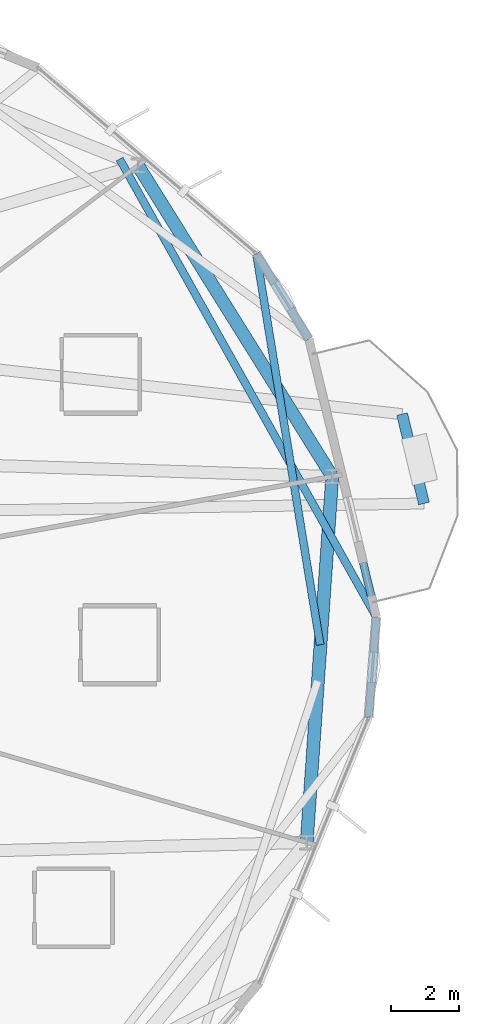
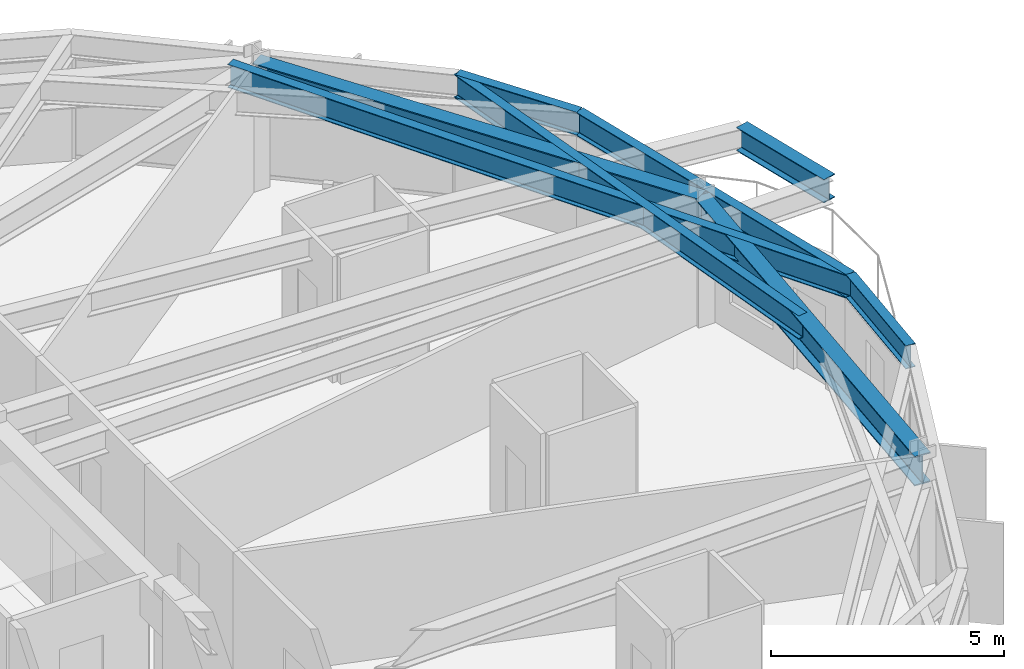
# One storey, part 9 of 21: 8 beams.
"""IFC4 building model written with IfcOpenShell, lengths in metres."""

from ifc_helpers import new_model, si_unit, direction, frame, origin, origin_2d, place, context, subcontext, project, spatial, i_section, extrude, material, material_profile, profile_set, type_object, element, save


model = new_model("IFC4")

# Units and contexts
model_context = context("Model", 3, precision=1e-05, world=origin(), true_north=direction((0.0, 1.0)))
body_context = subcontext(model_context, "Body", "Model", "MODEL_VIEW")
ifc_project = project(units=[si_unit("LENGTHUNIT", "METRE"), si_unit("AREAUNIT", "SQUARE_METRE"), si_unit("VOLUMEUNIT", "CUBIC_METRE"), si_unit("PLANEANGLEUNIT", "RADIAN"), si_unit("MASSUNIT", "GRAM", prefix="KILO")], contexts=[model_context])

# Site, building, storey
site_placement = place(None, origin())
site = spatial("IfcSite", under=ifc_project, at=site_placement, CompositionType="ELEMENT")
building_placement = place(site_placement, origin())
building = spatial("IfcBuilding", under=site, at=building_placement, Name="Soratama Intermodal Tower", CompositionType="ELEMENT")
storey_placement = place(building_placement, frame((0.0, 0.0, 149.800048828125)))
storey = spatial("IfcBuildingStorey", under=building, at=storey_placement, Name="L36", CompositionType="ELEMENT", Elevation=149.800048828125)

# Beams
ifc_material_1 = material(Name="Structural steel ASTM A992 Grade 50", Category="steel")
ifc_material_profile_1 = material_profile(ifc_material_1, i_section(OverallWidth=0.324951171875, OverallDepth=0.615966796875, WebThickness=0.013916015625, FlangeThickness=0.021484375, FilletRadius=0.013916015625, at=origin_2d()), Name="W24X117")
ifc_profile_set_1 = profile_set([ifc_material_profile_1], Name="Structural steel ASTM A992 Grade 50")
beam_type_1 = type_object("IfcBeamType", Name="BM-CANT-W24X117", PredefinedType="BEAM", material=ifc_profile_set_1)
beam_1_placement = place(storey_placement, frame((64.68701171875, 28.43798828125, 2.991943359375), z_axis=(-0.238703307797, 0.971092544945, 0.0), x_axis=(-0.971092544945, -0.238703307797, 0.0)))
element("IfcBeam", 1, at=beam_1_placement, inside=storey, type_object=beam_type_1, Name="BM-L36-CBHDR-1", PredefinedType="BEAM", context=body_context, shape_type="SweptSolid", body=[
    extrude(i_section(OverallWidth=0.324951171875, OverallDepth=0.615966796875, WebThickness=0.013916015625, FlangeThickness=0.021484375, FilletRadius=0.013916015625, at=origin_2d()), origin(), (0.0, 0.0, 1.0), 2.71435546875),
])
ifc_material_2 = material(Name="Structural steel ASTM A992 Grade 50", Category="steel")
ifc_material_profile_2 = material_profile(ifc_material_2, i_section(OverallWidth=0.382080078125, OverallDepth=0.779052734375, WebThickness=0.01806640625, FlangeThickness=0.030029296875, FilletRadius=0.01806640625, at=origin_2d()), Name="W30X191")
ifc_profile_set_2 = profile_set([ifc_material_profile_2], Name="Structural steel ASTM A992 Grade 50")
beam_type_2 = type_object("IfcBeamType", Name="BM-RING-W30X191", PredefinedType="BEAM", material=ifc_profile_set_2)
beam_2_placement = place(storey_placement, frame((61.97998046875, 29.23388671875, 2.910400390625), z_axis=(-0.529891394359, 0.84806551055, 0.0), x_axis=(-0.84806551055, -0.529891394359, 0.0)))
element("IfcBeam", 2, at=beam_2_placement, inside=storey, type_object=beam_type_2, Name="BM-L36-RING-01", PredefinedType="BEAM", context=body_context, shape_type="SweptSolid", body=[
    extrude(i_section(OverallWidth=0.382080078125, OverallDepth=0.779052734375, WebThickness=0.01806640625, FlangeThickness=0.030029296875, FilletRadius=0.01806640625, at=origin_2d()), origin(), (0.0, 0.0, 1.0), 10.8154296875),
])
beam_3_placement = place(storey_placement, frame((61.22607421875, 18.444091796875, 2.910400390625), z_axis=(0.069702217409, 0.99756784275, 0.0), x_axis=(-0.99756784275, 0.069702217409, 0.0)))
element("IfcBeam", 3, at=beam_3_placement, inside=storey, type_object=beam_type_2, Name="BM-L36-RING-10", PredefinedType="BEAM", context=body_context, shape_type="SweptSolid", body=[
    extrude(i_section(OverallWidth=0.382080078125, OverallDepth=0.779052734375, WebThickness=0.01806640625, FlangeThickness=0.030029296875, FilletRadius=0.01806640625, at=origin_2d()), origin(), (0.0, 0.0, 1.0), 10.816162109375),
])
ifc_material_3 = material(Name="Structural steel ASTM A992 Grade 50", Category="steel")
ifc_material_profile_3 = material_profile(ifc_material_3, i_section(OverallWidth=0.22900390625, OverallDepth=0.612060546875, WebThickness=0.011962890625, FlangeThickness=0.01953125, FilletRadius=0.012939453125, at=origin_2d()), Name="W24X84")
ifc_profile_set_3 = profile_set([ifc_material_profile_3], Name="Structural steel ASTM A992 Grade 50")
beam_type_3 = type_object("IfcBeamType", Name="BM-SPN-W24X84", PredefinedType="SPANDREL", material=ifc_profile_set_3)
beam_4_placement = place(storey_placement, frame((63.055908203125, 22.12890625, 2.993896484375), z_axis=(0.076205621213, 0.997092123776, 0.0), x_axis=(-0.997092123776, 0.076205621213, 0.0)))
element("IfcBeam", 4, at=beam_4_placement, inside=storey, type_object=beam_type_3, Name="BS-L36-CRN09", PredefinedType="SPANDREL", context=body_context, shape_type="SweptSolid", body=[
    extrude(i_section(OverallWidth=0.22900390625, OverallDepth=0.612060546875, WebThickness=0.011962890625, FlangeThickness=0.01953125, FilletRadius=0.012939453125, at=origin_2d()), origin(), (0.0, 0.0, 1.0), 2.966552734375),
])
beam_5_placement = place(storey_placement, frame((63.281982421875, 25.0869140625, 2.993896484375), z_axis=(-0.235532969172, 0.971866359348, 0.0), x_axis=(-0.971866359348, -0.235532969172, 0.0)))
element("IfcBeam", 5, at=beam_5_placement, inside=storey, type_object=beam_type_3, Name="BS-L36-F10", PredefinedType="SPANDREL", context=body_context, shape_type="SweptSolid", body=[
    extrude(i_section(OverallWidth=0.22900390625, OverallDepth=0.612060546875, WebThickness=0.011962890625, FlangeThickness=0.01953125, FilletRadius=0.012939453125, at=origin_2d()), origin(), (0.0, 0.0, 1.0), 8.440673828125),
])
beam_6_placement = place(storey_placement, frame((61.2939453125, 33.2900390625, 2.993896484375), z_axis=(-0.524230598501, 0.851576349833, 0.0), x_axis=(-0.851576349833, -0.524230598501, 0.0)))
element("IfcBeam", 6, at=beam_6_placement, inside=storey, type_object=beam_type_3, Name="BS-L36-CRN10", PredefinedType="SPANDREL", context=body_context, shape_type="SweptSolid", body=[
    extrude(i_section(OverallWidth=0.22900390625, OverallDepth=0.612060546875, WebThickness=0.011962890625, FlangeThickness=0.01953125, FilletRadius=0.012939453125, at=origin_2d()), origin(), (0.0, 0.0, 1.0), 2.966064453125),
])
ifc_material_4 = material(Name="Structural steel ASTM A992 Grade 50", Category="steel")
ifc_material_profile_4 = material_profile(ifc_material_4, i_section(OverallWidth=0.22900390625, OverallDepth=0.612060546875, WebThickness=0.011962890625, FlangeThickness=0.01953125, FilletRadius=0.012939453125, at=origin_2d()), Name="W24X84")
ifc_profile_set_4 = profile_set([ifc_material_profile_4], Name="Structural steel ASTM A992 Grade 50")
beam_type_4 = type_object("IfcBeamType", Name="BM-TIE-W24X84", PredefinedType="BEAM", material=ifc_profile_set_4)
beam_7_placement = place(storey_placement, frame((61.6240234375, 24.27197265625, 2.993896484375), z_axis=(-0.161155548561, 0.986929019316, 0.0), x_axis=(-0.986929019316, -0.161155548561, 0.0)))
element("IfcBeam", 7, at=beam_7_placement, inside=storey, type_object=beam_type_4, Name="BM-L36-TIE0-01", PredefinedType="BEAM", context=body_context, shape_type="SweptSolid", body=[
    extrude(i_section(OverallWidth=0.22900390625, OverallDepth=0.612060546875, WebThickness=0.011962890625, FlangeThickness=0.01953125, FilletRadius=0.012939453125, at=origin_2d()), origin(), (0.0, 0.0, 1.0), 11.69677734375),
])
beam_8_placement = place(storey_placement, frame((55.708984375, 38.596923828125, 2.993896484375), z_axis=(0.488966692499, -0.87230245536, 0.0), x_axis=(0.87230245536, 0.488966692499, 0.0)))
element("IfcBeam", 8, at=beam_8_placement, inside=storey, type_object=beam_type_4, Name="BM-L36-TIE0-10", PredefinedType="BEAM", context=body_context, shape_type="SweptSolid", body=[
    extrude(i_section(OverallWidth=0.22900390625, OverallDepth=0.612060546875, WebThickness=0.011962890625, FlangeThickness=0.01953125, FilletRadius=0.012939453125, at=origin_2d()), origin(), (0.0, 0.0, 1.0), 15.48779296875),
])

save(model, "model.ifc")
